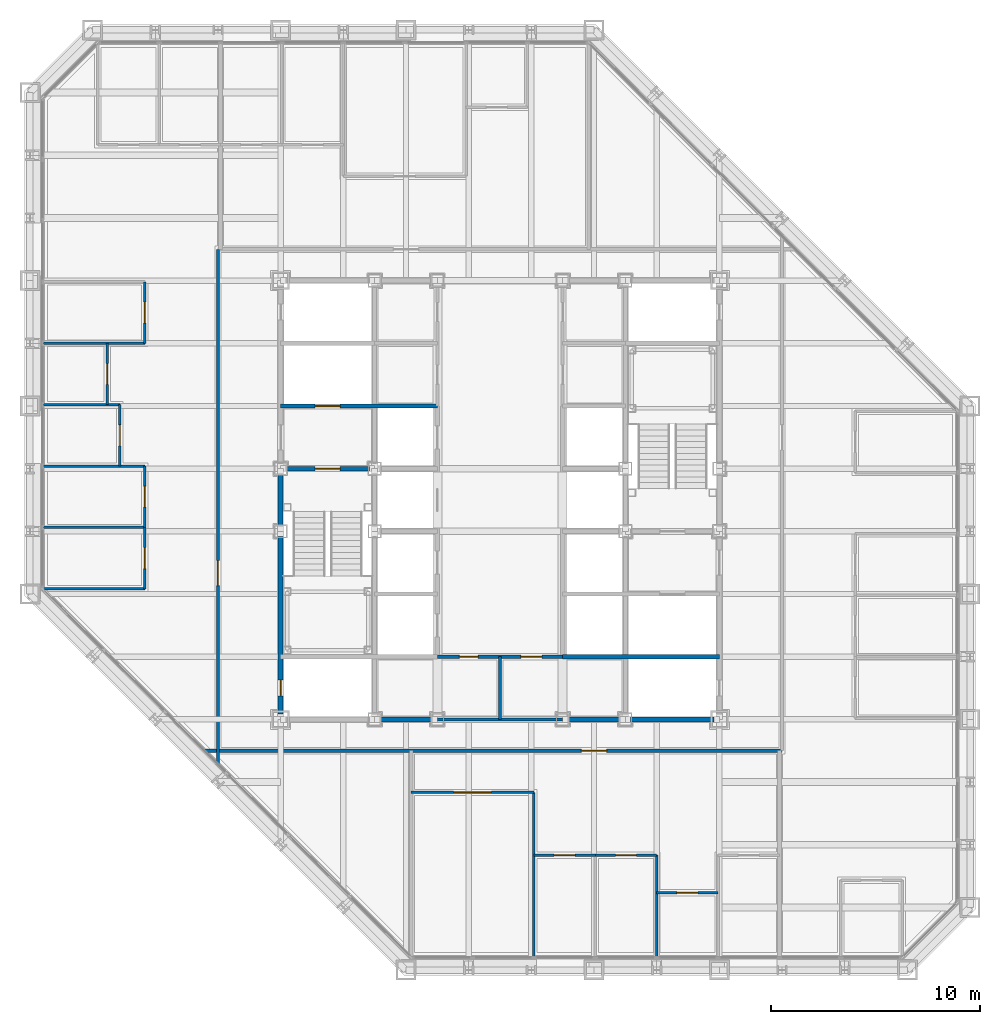
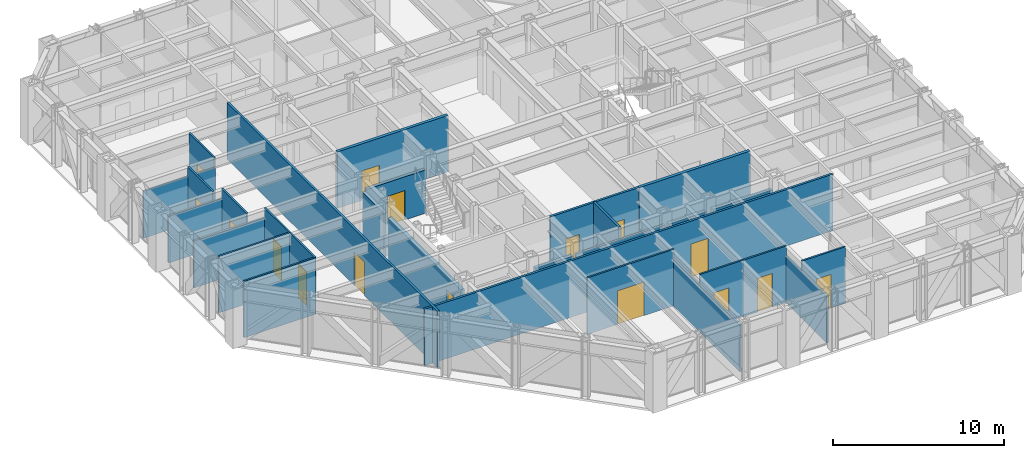
# One storey, part 10 of 16: 29 walls, 16 doors, 16 openings.
"""IFC4 building model written with IfcOpenShell, lengths in metres."""

from ifc_helpers import new_model, si_unit, direction, frame, frame_2d, origin, place, context, subcontext, project, spatial, rectangle, extrude, material, layer, layer_set, type_object, element, fill, save


model = new_model("IFC4")

# Units and contexts
model_context = context("Model", 3, precision=1e-05, world=origin(), true_north=direction((0.0, 1.0)))
body_context = subcontext(model_context, "Body", "Model", "MODEL_VIEW")
ifc_project = project(units=[si_unit("LENGTHUNIT", "METRE"), si_unit("AREAUNIT", "SQUARE_METRE"), si_unit("VOLUMEUNIT", "CUBIC_METRE"), si_unit("PLANEANGLEUNIT", "RADIAN"), si_unit("MASSUNIT", "GRAM", prefix="KILO")], contexts=[model_context])

# Site, building, storey
site_placement = place(None, origin())
site = spatial("IfcSite", under=ifc_project, at=site_placement, CompositionType="ELEMENT")
building_placement = place(site_placement, origin())
building = spatial("IfcBuilding", under=site, at=building_placement, Name="Chuquiago Exchange Tower", CompositionType="ELEMENT")
storey_placement = place(building_placement, frame((0.0, 0.0, 148.800048828125)))
storey = spatial("IfcBuildingStorey", under=building, at=storey_placement, Name="L32", CompositionType="ELEMENT", Elevation=148.800048828125)

# Wall, opening, door
ifc_material_1 = material(Name="Concrete masonry, fully grouted", Category="masonry")
ifc_layer_1 = layer(ifc_material_1, 0.25)
ifc_layer_set_1 = layer_set([ifc_layer_1], Name="W1 core wall 250")
wall_type_1 = type_object("IfcWallType", Name="W1 core wall 250", PredefinedType="SOLIDWALL", material=ifc_layer_set_1)
wall_1_placement = place(storey_placement, frame((12.0, 12.25, 0.0), z_axis=(0.0, 0.0, 1.0), x_axis=(0.0, 1.0, 0.0)))
wall_1 = element("IfcWall", 1, at=wall_1_placement, inside=storey, type_object=wall_type_1, Name="CW-L32-00-0", PredefinedType="SOLIDWALL", context=body_context, shape_type="SweptSolid", body=[
    extrude(rectangle(XDim=8.5, YDim=0.25, at=frame_2d((4.25, 0.0))), origin(), (0.0, 0.0, 1.0), 3.11279296875),
])
opening_1_placement = place(wall_1_placement, frame((0.875, 0.0, 0.0)))
opening_1 = element("IfcOpeningElement", 2, at=opening_1_placement, cuts=wall_1, Name="Opening L32-007", PredefinedType="OPENING", context=body_context, shape_type="SweptSolid", body=[
    extrude(rectangle(XDim=0.75, YDim=2.10009765625, at=frame_2d((0.375, 1.050048828125))), frame((0.0, 0.135009765625, 0.0), z_axis=(0.0, -1.0, 0.0), x_axis=(1.0, 0.0, 0.0)), (0.0, 0.0, 1.0), 0.27001953125),
])
ifc_material_2 = material(Name="Steel door, painted", Category="steel")
door_type_1 = type_object("IfcDoorType", Name="D6 riser access door 750x2100", OperationType="SINGLE_SWING_LEFT", PredefinedType="DOOR", material=ifc_material_2)
door_1_placement = place(opening_1_placement, origin())
door_1 = element("IfcDoor", 3, at=door_1_placement, inside=storey, type_object=door_type_1, Name="Riser RW1 door", OperationType="SINGLE_SWING_LEFT", OverallHeight=2.10009765625, OverallWidth=0.75, PredefinedType="DOOR", context=body_context, shape_type="SweptSolid", body=[
    extrude(rectangle(XDim=0.75, YDim=2.10009765625, at=frame_2d((0.375, 1.050048828125))), frame((0.0, 0.02490234375, 0.0), z_axis=(0.0, -1.0, 0.0), x_axis=(1.0, 0.0, 0.0)), (0.0, 0.0, 1.0), 0.050048828125),
])
fill(opening_1, door_1)

# Walls
wall_2_placement = place(storey_placement, frame((12.0, 21.25, 0.0), z_axis=(0.0, 0.0, 1.0), x_axis=(0.0, 1.0, 0.0)))
element("IfcWall", 4, at=wall_2_placement, inside=storey, type_object=wall_type_1, Name="CW-L32-00-1", PredefinedType="SOLIDWALL", context=body_context, shape_type="SweptSolid", body=[
    extrude(rectangle(XDim=2.5, YDim=0.25, at=frame_2d((1.25, 0.0))), origin(), (0.0, 0.0, 1.0), 3.11279296875),
])
for number, where, z_axis, x_axis, name in (
    (5, (16.75, 12.0, 0.0), (0.0, 0.0, 1.0), (1.0, 0.0, 0.0), "CW-L32-01-1"),
    (6, (25.75, 12.0, 0.0), (0.0, 0.0, 1.0), (1.0, 0.0, 0.0), "CW-L32-02-0"),
):
    element("IfcWall", number, at=place(storey_placement, frame(where, z_axis=z_axis, x_axis=x_axis)), inside=storey, type_object=wall_type_1, Name=name, PredefinedType="SOLIDWALL", context=body_context, shape_type="SweptSolid", body=[
        extrude(rectangle(XDim=2.5, YDim=0.25, at=frame_2d((1.25, 0.0))), origin(), (0.0, 0.0, 1.0), 3.181396484375),
    ])
wall_3_placement = place(storey_placement, frame((28.75, 12.0, 0.0), z_axis=(0.0, 0.0, 1.0), x_axis=(1.0, 0.0, 0.0)))
element("IfcWall", 7, at=wall_3_placement, inside=storey, type_object=wall_type_1, Name="CW-L32-02-1", PredefinedType="SOLIDWALL", context=body_context, shape_type="SweptSolid", body=[
    extrude(rectangle(XDim=4.0, YDim=0.25, at=frame_2d((2.0, 0.0))), origin(), (0.0, 0.0, 1.0), 3.181396484375),
])

# Wall, opening, door
ifc_material_3 = material(Name="Gypsum board on steel studs, acoustic insulation", Category="steel")
ifc_layer_2 = layer(ifc_material_3, 0.14990234375)
ifc_layer_set_2 = layer_set([ifc_layer_2], Name="W11 corridor wall 150")
wall_type_2 = type_object("IfcWallType", Name="W11 corridor wall 150", PredefinedType="PARTITIONING", material=ifc_layer_set_2)
wall_4_placement = place(storey_placement, frame((8.385498046875, 10.5, 0.0), z_axis=(0.0, 0.0, 1.0), x_axis=(1.0, 0.0, 0.0)))
wall_4 = element("IfcWall", 8, at=wall_4_placement, inside=storey, type_object=wall_type_2, Name="PW-L32-CS", PredefinedType="PARTITIONING", context=body_context, shape_type="SweptSolid", body=[
    extrude(rectangle(XDim=27.614501953125, YDim=0.14990234375, at=frame_2d((13.80712890625, 0.0))), origin(), (0.0, 0.0, 1.0), 4.0400390625),
])
opening_2_placement = place(wall_4_placement, frame((18.014404296875, 0.0, 0.0)))
opening_2 = element("IfcOpeningElement", 9, at=opening_2_placement, cuts=wall_4, Name="Opening L32-042", PredefinedType="OPENING", context=body_context, shape_type="SweptSolid", body=[
    extrude(rectangle(XDim=1.199951171875, YDim=2.39990234375, at=frame_2d((0.60009765625, 1.199951171875))), frame((0.0, 0.0849609375, 0.0), z_axis=(0.0, -1.0, 0.0), x_axis=(1.0, 0.0, 0.0)), (0.0, 0.0, 1.0), 0.169921875),
])
ifc_material_4 = material(Name="Timber door, laminate faced", Category="wood")
door_type_2 = type_object("IfcDoorType", Name="D13 suite entrance door 1200x2400", OperationType="SINGLE_SWING_LEFT", PredefinedType="DOOR", material=ifc_material_4)
door_2_placement = place(opening_2_placement, frame((1.199951171875, 0.0, 0.0), z_axis=(0.0, 0.0, 1.0), x_axis=(-1.0, 0.0, 0.0)))
door_2 = element("IfcDoor", 10, at=door_2_placement, inside=storey, type_object=door_type_2, Name="South suite entrance door", OperationType="SINGLE_SWING_LEFT", OverallHeight=2.39990234375, OverallWidth=1.199951171875, PredefinedType="DOOR", context=body_context, shape_type="SweptSolid", body=[
    extrude(rectangle(XDim=1.199951171875, YDim=2.39990234375, at=frame_2d((0.60009765625, 1.199951171875))), frame((0.0, 0.02490234375, 0.0), z_axis=(0.0, -1.0, 0.0), x_axis=(1.0, 0.0, 0.0)), (0.0, 0.0, 1.0), 0.050048828125),
])
fill(opening_2, door_2)

wall_5_placement = place(storey_placement, frame((9.0, 9.885498046875, 0.0), z_axis=(0.0, 0.0, 1.0), x_axis=(0.0, 1.0, 0.0)))
wall_5 = element("IfcWall", 11, at=wall_5_placement, inside=storey, type_object=wall_type_2, Name="PW-L32-CW", PredefinedType="PARTITIONING", context=body_context, shape_type="SweptSolid", body=[
    extrude(rectangle(XDim=24.614501953125, YDim=0.14990234375, at=frame_2d((12.30712890625, 0.0))), origin(), (0.0, 0.0, 1.0), 4.0400390625),
])
opening_3_placement = place(wall_5_placement, frame((8.514404296875, 0.0, 0.0)))
opening_3 = element("IfcOpeningElement", 12, at=opening_3_placement, cuts=wall_5, Name="Opening L32-044", PredefinedType="OPENING", context=body_context, shape_type="SweptSolid", body=[
    extrude(rectangle(XDim=1.199951171875, YDim=2.39990234375, at=frame_2d((0.60009765625, 1.199951171875))), frame((0.0, 0.0849609375, 0.0), z_axis=(0.0, -1.0, 0.0), x_axis=(1.0, 0.0, 0.0)), (0.0, 0.0, 1.0), 0.169921875),
])
door_3_placement = place(opening_3_placement, origin())
door_3 = element("IfcDoor", 13, at=door_3_placement, inside=storey, type_object=door_type_2, Name="West suite entrance door", OperationType="SINGLE_SWING_LEFT", OverallHeight=2.39990234375, OverallWidth=1.199951171875, PredefinedType="DOOR", context=body_context, shape_type="SweptSolid", body=[
    extrude(rectangle(XDim=1.199951171875, YDim=2.39990234375, at=frame_2d((0.60009765625, 1.199951171875))), frame((0.0, 0.02490234375, 0.0), z_axis=(0.0, -1.0, 0.0), x_axis=(1.0, 0.0, 0.0)), (0.0, 0.0, 1.0), 0.050048828125),
])
fill(opening_3, door_3)

# Wall
ifc_material_5 = material(Name="Concrete masonry, fully grouted", Category="masonry")
ifc_layer_3 = layer(ifc_material_5, 0.199951171875)
ifc_layer_set_3 = layer_set([ifc_layer_3], Name="W2 shaft wall 200")
wall_type_3 = type_object("IfcWallType", Name="W2 shaft wall 200", PredefinedType="SOLIDWALL", material=ifc_layer_set_3)
wall_6_placement = place(storey_placement, frame((25.5, 15.0, 0.0), z_axis=(0.0, 0.0, 1.0), x_axis=(1.0, 0.0, 0.0)))
element("IfcWall", 14, at=wall_6_placement, inside=storey, type_object=wall_type_3, Name="CW-L32-04-0", PredefinedType="SOLIDWALL", context=body_context, shape_type="SweptSolid", body=[
    extrude(rectangle(XDim=7.5, YDim=0.199951171875, at=frame_2d((3.75, 0.0))), origin(), (0.0, 0.0, 1.0), 4.0400390625),
])

# Wall, opening, door
wall_7_placement = place(storey_placement, frame((12.25, 24.0, 0.0), z_axis=(0.0, 0.0, 1.0), x_axis=(1.0, 0.0, 0.0)))
wall_7 = element("IfcWall", 15, at=wall_7_placement, inside=storey, type_object=wall_type_3, Name="CW-L32-05-0", PredefinedType="SOLIDWALL", context=body_context, shape_type="SweptSolid", body=[
    extrude(rectangle(XDim=4.0, YDim=0.199951171875, at=frame_2d((2.0, 0.0))), origin(), (0.0, 0.0, 1.0), 3.08984375),
])
opening_4_placement = place(wall_7_placement, frame((1.39990234375, 0.0, 0.0)))
opening_4 = element("IfcOpeningElement", 16, at=opening_4_placement, cuts=wall_7, Name="Opening L32-001", PredefinedType="OPENING", context=body_context, shape_type="SweptSolid", body=[
    extrude(rectangle(XDim=1.199951171875, YDim=2.10009765625, at=frame_2d((0.60009765625, 1.050048828125))), frame((0.0, 0.10986328125, 0.0), z_axis=(0.0, -1.0, 0.0), x_axis=(1.0, 0.0, 0.0)), (0.0, 0.0, 1.0), 0.219970703125),
])
ifc_material_6 = material(Name="Steel door, painted", Category="steel")
door_type_3 = type_object("IfcDoorType", Name="D4 stair door 1200x2100", OperationType="SINGLE_SWING_LEFT", PredefinedType="DOOR", material=ifc_material_6)
door_4_placement = place(opening_4_placement, frame((1.199951171875, 0.0, 0.0), z_axis=(0.0, 0.0, 1.0), x_axis=(-1.0, 0.0, 0.0)))
door_4 = element("IfcDoor", 17, at=door_4_placement, inside=storey, type_object=door_type_3, Name="Stair ST1 door", OperationType="SINGLE_SWING_RIGHT", OverallHeight=2.10009765625, OverallWidth=1.199951171875, PredefinedType="DOOR", context=body_context, shape_type="SweptSolid", body=[
    extrude(rectangle(XDim=1.199951171875, YDim=2.10009765625, at=frame_2d((0.60009765625, 1.050048828125))), frame((0.0, 0.02490234375, 0.0), z_axis=(0.0, -1.0, 0.0), x_axis=(1.0, 0.0, 0.0)), (0.0, 0.0, 1.0), 0.050048828125),
])
fill(opening_4, door_4)

wall_8_placement = place(storey_placement, frame((12.0, 27.0, 0.0), z_axis=(0.0, 0.0, 1.0), x_axis=(1.0, 0.0, 0.0)))
wall_8 = element("IfcWall", 18, at=wall_8_placement, inside=storey, type_object=wall_type_3, Name="CW-L32-07-0", PredefinedType="SOLIDWALL", context=body_context, shape_type="SweptSolid", body=[
    extrude(rectangle(XDim=7.5, YDim=0.199951171875, at=frame_2d((3.75, 0.0))), origin(), (0.0, 0.0, 1.0), 4.0400390625),
])
opening_5_placement = place(wall_8_placement, frame((1.64990234375, 0.0, 0.0)))
opening_5 = element("IfcOpeningElement", 19, at=opening_5_placement, cuts=wall_8, Name="Opening L32-005", PredefinedType="OPENING", context=body_context, shape_type="SweptSolid", body=[
    extrude(rectangle(XDim=1.199951171875, YDim=2.10009765625, at=frame_2d((0.60009765625, 1.050048828125))), frame((0.0, 0.10986328125, 0.0), z_axis=(0.0, -1.0, 0.0), x_axis=(1.0, 0.0, 0.0)), (0.0, 0.0, 1.0), 0.219970703125),
])
ifc_material_7 = material(Name="Stainless steel lift landing door", Category="steel")
door_type_4 = type_object("IfcDoorType", Name="LD2 firefighting lift landing door 1200x2100", OperationType="DOUBLE_DOOR_SLIDING", PredefinedType="DOOR", material=ifc_material_7)
door_5_placement = place(opening_5_placement, origin())
door_5 = element("IfcDoor", 20, at=door_5_placement, inside=storey, type_object=door_type_4, Name="Firefighting lift FL1 landing door", OperationType="DOUBLE_DOOR_SLIDING", OverallHeight=2.10009765625, OverallWidth=1.199951171875, PredefinedType="DOOR", context=body_context, shape_type="SweptSolid", body=[
    extrude(rectangle(XDim=1.199951171875, YDim=2.10009765625, at=frame_2d((0.60009765625, 1.050048828125))), frame((0.0, 0.02490234375, 0.0), z_axis=(0.0, -1.0, 0.0), x_axis=(1.0, 0.0, 0.0)), (0.0, 0.0, 1.0), 0.050048828125),
])
fill(opening_5, door_5)

# Wall, openings, doors
ifc_material_8 = material(Name="Gypsum board on steel studs", Category="steel")
ifc_layer_4 = layer(ifc_material_8, 0.14990234375)
ifc_layer_set_4 = layer_set([ifc_layer_4], Name="W3 core partition 150")
wall_type_4 = type_object("IfcWallType", Name="W3 core partition 150", PredefinedType="PARTITIONING", material=ifc_layer_set_4)
wall_9_placement = place(storey_placement, frame((19.5, 15.0, 0.0), z_axis=(0.0, 0.0, 1.0), x_axis=(1.0, 0.0, 0.0)))
wall_9 = element("IfcWall", 21, at=wall_9_placement, inside=storey, type_object=wall_type_4, Name="CW-L32-TF", PredefinedType="PARTITIONING", context=body_context, shape_type="SweptSolid", body=[
    extrude(rectangle(XDim=6.0, YDim=0.14990234375, at=frame_2d((3.0, 0.0))), origin(), (0.0, 0.0, 1.0), 4.0400390625),
])
opening_6_placement = place(wall_9_placement, frame((4.0, 0.0, 0.0)))
opening_6 = element("IfcOpeningElement", 22, at=opening_6_placement, cuts=wall_9, Name="Opening L32-015", PredefinedType="OPENING", context=body_context, shape_type="SweptSolid", body=[
    extrude(rectangle(XDim=1.0, YDim=2.10009765625, at=frame_2d((0.5, 1.050048828125))), frame((0.0, 0.0849609375, 0.0), z_axis=(0.0, -1.0, 0.0), x_axis=(1.0, 0.0, 0.0)), (0.0, 0.0, 1.0), 0.169921875),
])
opening_7_placement = place(wall_9_placement, frame((1.050048828125, 0.0, 0.0)))
opening_7 = element("IfcOpeningElement", 23, at=opening_7_placement, cuts=wall_9, Name="Opening L32-016", PredefinedType="OPENING", context=body_context, shape_type="SweptSolid", body=[
    extrude(rectangle(XDim=0.89990234375, YDim=2.10009765625, at=frame_2d((0.449951171875, 1.050048828125))), frame((0.0, 0.0849609375, 0.0), z_axis=(0.0, -1.0, 0.0), x_axis=(1.0, 0.0, 0.0)), (0.0, 0.0, 1.0), 0.169921875),
])
ifc_material_9 = material(Name="Timber door, laminate faced", Category="wood")
door_type_5 = type_object("IfcDoorType", Name="D7 toilet door 900x2100", OperationType="SINGLE_SWING_LEFT", PredefinedType="DOOR", material=ifc_material_9)
door_6_placement = place(opening_7_placement, origin())
door_6 = element("IfcDoor", 24, at=door_6_placement, inside=storey, type_object=door_type_5, Name="Cleaner door", OperationType="SINGLE_SWING_LEFT", OverallHeight=2.10009765625, OverallWidth=0.89990234375, PredefinedType="DOOR", context=body_context, shape_type="SweptSolid", body=[
    extrude(rectangle(XDim=0.89990234375, YDim=2.10009765625, at=frame_2d((0.449951171875, 1.050048828125))), frame((0.0, 0.02490234375, 0.0), z_axis=(0.0, -1.0, 0.0), x_axis=(1.0, 0.0, 0.0)), (0.0, 0.0, 1.0), 0.050048828125),
])
fill(opening_7, door_6)
ifc_material_10 = material(Name="Timber door, laminate faced", Category="wood")
door_type_6 = type_object("IfcDoorType", Name="D8 accessible toilet door 1000x2100", OperationType="SLIDING_TO_LEFT", PredefinedType="DOOR", material=ifc_material_10)
door_7_placement = place(opening_6_placement, origin())
door_7 = element("IfcDoor", 25, at=door_7_placement, inside=storey, type_object=door_type_6, Name="Accessible WC door", OperationType="SLIDING_TO_LEFT", OverallHeight=2.10009765625, OverallWidth=1.0, PredefinedType="DOOR", context=body_context, shape_type="SweptSolid", body=[
    extrude(rectangle(XDim=1.0, YDim=2.10009765625, at=frame_2d((0.5, 1.050048828125))), frame((0.0, 0.02490234375, 0.0), z_axis=(0.0, -1.0, 0.0), x_axis=(1.0, 0.0, 0.0)), (0.0, 0.0, 1.0), 0.050048828125),
])
fill(opening_6, door_7)

# Walls
wall_10_placement = place(storey_placement, frame((22.5, 15.0, 0.0), z_axis=(0.0, 0.0, 1.0), x_axis=(0.0, -1.0, 0.0)))
element("IfcWall", 26, at=wall_10_placement, inside=storey, type_object=wall_type_4, Name="CW-L32-TM", PredefinedType="PARTITIONING", context=body_context, shape_type="SweptSolid", body=[
    extrude(rectangle(XDim=3.0, YDim=0.14990234375, at=frame_2d((1.5, 0.0))), origin(), (0.0, 0.0, 1.0), 4.0400390625),
])
wall_11_placement = place(storey_placement, frame((19.5, 12.0, 0.0), z_axis=(0.0, 0.0, 1.0), x_axis=(1.0, 0.0, 0.0)))
element("IfcWall", 27, at=wall_11_placement, inside=storey, type_object=wall_type_4, Name="CW-L32-TB", PredefinedType="PARTITIONING", context=body_context, shape_type="SweptSolid", body=[
    extrude(rectangle(XDim=6.0, YDim=0.14990234375, at=frame_2d((3.0, 0.0))), origin(), (0.0, 0.0, 1.0), 3.181396484375),
])
ifc_material_11 = material(Name="Gypsum board on steel studs", Category="steel")
ifc_layer_5 = layer(ifc_material_11, 0.1201171875)
ifc_layer_set_5 = layer_set([ifc_layer_5], Name="W4 partition 120")
wall_type_5 = type_object("IfcWallType", Name="W4 partition 120", PredefinedType="PARTITIONING", material=ifc_layer_set_5)
wall_12_placement = place(storey_placement, frame((24.124267578125, 0.652587890625, 0.0), z_axis=(0.0, 0.0, 1.0), x_axis=(0.0, 1.0, 0.0)))
element("IfcWall", 28, at=wall_12_placement, inside=storey, type_object=wall_type_5, Name="PW-L32-S02412", PredefinedType="PARTITIONING", context=body_context, shape_type="SweptSolid", body=[
    extrude(rectangle(XDim=7.847412109375, YDim=0.1201171875, at=frame_2d((3.923828125, 0.0))), origin(), (0.0, 0.0, 1.0), 3.356689453125),
])
wall_13_placement = place(storey_placement, frame((30.0, 0.652587890625, 0.0), z_axis=(0.0, 0.0, 1.0), x_axis=(0.0, 1.0, 0.0)))
element("IfcWall", 29, at=wall_13_placement, inside=storey, type_object=wall_type_5, Name="PW-L32-S03000", PredefinedType="PARTITIONING", context=body_context, shape_type="SweptSolid", body=[
    extrude(rectangle(XDim=4.847412109375, YDim=0.1201171875, at=frame_2d((2.423828125, 0.0))), origin(), (0.0, 0.0, 1.0), 3.356689453125),
])

# Wall, opening, door
wall_14_placement = place(storey_placement, frame((18.24853515625, 8.5, 0.0), z_axis=(0.0, 0.0, 1.0), x_axis=(1.0, 0.0, 0.0)))
wall_14 = element("IfcWall", 30, at=wall_14_placement, inside=storey, type_object=wall_type_5, Name="PW-L32-SF01825", PredefinedType="PARTITIONING", context=body_context, shape_type="SweptSolid", body=[
    extrude(rectangle(XDim=5.875732421875, YDim=0.1201171875, at=frame_2d((2.93798828125, 0.0))), origin(), (0.0, 0.0, 1.0), 4.0400390625),
])
opening_8_placement = place(wall_14_placement, frame((2.037841796875, 0.0, 0.0)))
opening_8 = element("IfcOpeningElement", 31, at=opening_8_placement, cuts=wall_14, Name="Opening L32-021", PredefinedType="OPENING", context=body_context, shape_type="SweptSolid", body=[
    extrude(rectangle(XDim=1.800048828125, YDim=2.39990234375, at=frame_2d((0.89990234375, 1.199951171875))), frame((0.0, 0.070068359375, 0.0), z_axis=(0.0, -1.0, 0.0), x_axis=(1.0, 0.0, 0.0)), (0.0, 0.0, 1.0), 0.14013671875),
])
ifc_material_12 = material(Name="Timber door pair, laminate faced", Category="wood")
door_type_7 = type_object("IfcDoorType", Name="D15 double room door 1800x2400", OperationType="DOUBLE_DOOR_DOUBLE_SWING", PredefinedType="DOOR", material=ifc_material_12)
door_8_placement = place(opening_8_placement, origin())
door_8 = element("IfcDoor", 32, at=door_8_placement, inside=storey, type_object=door_type_7, Name="Training room door", OperationType="DOUBLE_DOOR_DOUBLE_SWING", OverallHeight=2.39990234375, OverallWidth=1.800048828125, PredefinedType="DOOR", context=body_context, shape_type="SweptSolid", body=[
    extrude(rectangle(XDim=1.800048828125, YDim=2.39990234375, at=frame_2d((0.89990234375, 1.199951171875))), frame((0.0, 0.02490234375, 0.0), z_axis=(0.0, -1.0, 0.0), x_axis=(1.0, 0.0, 0.0)), (0.0, 0.0, 1.0), 0.050048828125),
])
fill(opening_8, door_8)

wall_15_placement = place(storey_placement, frame((24.124267578125, 5.5, 0.0), z_axis=(0.0, 0.0, 1.0), x_axis=(1.0, 0.0, 0.0)))
wall_15 = element("IfcWall", 33, at=wall_15_placement, inside=storey, type_object=wall_type_5, Name="PW-L32-SF02412", PredefinedType="PARTITIONING", context=body_context, shape_type="SweptSolid", body=[
    extrude(rectangle(XDim=2.937744140625, YDim=0.1201171875, at=frame_2d((1.46875, 0.0))), origin(), (0.0, 0.0, 1.0), 4.0400390625),
])
opening_9_placement = place(wall_15_placement, frame((0.968994140625, 0.0, 0.0)))
opening_9 = element("IfcOpeningElement", 34, at=opening_9_placement, cuts=wall_15, Name="Opening L32-022", PredefinedType="OPENING", context=body_context, shape_type="SweptSolid", body=[
    extrude(rectangle(XDim=1.0, YDim=2.39990234375, at=frame_2d((0.5, 1.199951171875))), frame((0.0, 0.070068359375, 0.0), z_axis=(0.0, -1.0, 0.0), x_axis=(1.0, 0.0, 0.0)), (0.0, 0.0, 1.0), 0.14013671875),
])
ifc_material_13 = material(Name="Timber door, laminate faced", Category="wood")
door_type_8 = type_object("IfcDoorType", Name="D9 room door 1000x2400", OperationType="SINGLE_SWING_LEFT", PredefinedType="DOOR", material=ifc_material_13)
door_9_placement = place(opening_9_placement, frame((1.0, 0.0, 0.0), z_axis=(0.0, 0.0, 1.0), x_axis=(-1.0, 0.0, 0.0)))
door_9 = element("IfcDoor", 35, at=door_9_placement, inside=storey, type_object=door_type_8, Name="Office door", OperationType="SINGLE_SWING_LEFT", OverallHeight=2.39990234375, OverallWidth=1.0, PredefinedType="DOOR", context=body_context, shape_type="SweptSolid", body=[
    extrude(rectangle(XDim=1.0, YDim=2.39990234375, at=frame_2d((0.5, 1.199951171875))), frame((0.0, 0.02490234375, 0.0), z_axis=(0.0, -1.0, 0.0), x_axis=(1.0, 0.0, 0.0)), (0.0, 0.0, 1.0), 0.050048828125),
])
fill(opening_9, door_9)

wall_16_placement = place(storey_placement, frame((27.06201171875, 5.5, 0.0), z_axis=(0.0, 0.0, 1.0), x_axis=(1.0, 0.0, 0.0)))
wall_16 = element("IfcWall", 36, at=wall_16_placement, inside=storey, type_object=wall_type_5, Name="PW-L32-SF02706", PredefinedType="PARTITIONING", context=body_context, shape_type="SweptSolid", body=[
    extrude(rectangle(XDim=2.93798828125, YDim=0.1201171875, at=frame_2d((1.468994140625, 0.0))), origin(), (0.0, 0.0, 1.0), 4.0400390625),
])
opening_10_placement = place(wall_16_placement, frame((0.968994140625, 0.0, 0.0)))
opening_10 = element("IfcOpeningElement", 37, at=opening_10_placement, cuts=wall_16, Name="Opening L32-023", PredefinedType="OPENING", context=body_context, shape_type="SweptSolid", body=[
    extrude(rectangle(XDim=1.0, YDim=2.39990234375, at=frame_2d((0.5, 1.199951171875))), frame((0.0, 0.070068359375, 0.0), z_axis=(0.0, -1.0, 0.0), x_axis=(1.0, 0.0, 0.0)), (0.0, 0.0, 1.0), 0.14013671875),
])
door_10_placement = place(opening_10_placement, frame((1.0, 0.0, 0.0), z_axis=(0.0, 0.0, 1.0), x_axis=(-1.0, 0.0, 0.0)))
door_10 = element("IfcDoor", 38, at=door_10_placement, inside=storey, type_object=door_type_8, Name="Office door", OperationType="SINGLE_SWING_RIGHT", OverallHeight=2.39990234375, OverallWidth=1.0, PredefinedType="DOOR", context=body_context, shape_type="SweptSolid", body=[
    extrude(rectangle(XDim=1.0, YDim=2.39990234375, at=frame_2d((0.5, 1.199951171875))), frame((0.0, 0.02490234375, 0.0), z_axis=(0.0, -1.0, 0.0), x_axis=(1.0, 0.0, 0.0)), (0.0, 0.0, 1.0), 0.050048828125),
])
fill(opening_10, door_10)

wall_17_placement = place(storey_placement, frame((30.0, 3.699951171875, 0.0), z_axis=(0.0, 0.0, 1.0), x_axis=(1.0, 0.0, 0.0)))
wall_17 = element("IfcWall", 39, at=wall_17_placement, inside=storey, type_object=wall_type_5, Name="PW-L32-SF03000", PredefinedType="PARTITIONING", context=body_context, shape_type="SweptSolid", body=[
    extrude(rectangle(XDim=2.93798828125, YDim=0.1201171875, at=frame_2d((1.468994140625, 0.0))), origin(), (0.0, 0.0, 1.0), 4.0400390625),
])
opening_11_placement = place(wall_17_placement, frame((0.968994140625, 0.0, 0.0)))
opening_11 = element("IfcOpeningElement", 40, at=opening_11_placement, cuts=wall_17, Name="Opening L32-024", PredefinedType="OPENING", context=body_context, shape_type="SweptSolid", body=[
    extrude(rectangle(XDim=1.0, YDim=2.39990234375, at=frame_2d((0.5, 1.199951171875))), frame((0.0, 0.070068359375, 0.0), z_axis=(0.0, -1.0, 0.0), x_axis=(1.0, 0.0, 0.0)), (0.0, 0.0, 1.0), 0.14013671875),
])
ifc_material_14 = material(Name="Timber frame door, full height glazed panel", Category="wood")
door_type_9 = type_object("IfcDoorType", Name="D14 glazed meeting room door 1000x2400", OperationType="SINGLE_SWING_LEFT", PredefinedType="DOOR", material=ifc_material_14)
door_11_placement = place(opening_11_placement, frame((1.0, 0.0, 0.0), z_axis=(0.0, 0.0, 1.0), x_axis=(-1.0, 0.0, 0.0)))
door_11 = element("IfcDoor", 41, at=door_11_placement, inside=storey, type_object=door_type_9, Name="Focus room door", OperationType="SINGLE_SWING_RIGHT", OverallHeight=2.39990234375, OverallWidth=1.0, PredefinedType="DOOR", context=body_context, shape_type="SweptSolid", body=[
    extrude(rectangle(XDim=1.0, YDim=2.39990234375, at=frame_2d((0.5, 1.199951171875))), frame((0.0, 0.02490234375, 0.0), z_axis=(0.0, -1.0, 0.0), x_axis=(1.0, 0.0, 0.0)), (0.0, 0.0, 1.0), 0.050048828125),
])
fill(opening_11, door_11)

# Walls
wall_18_placement = place(storey_placement, frame((0.666015625, 18.24853515625, 0.0), z_axis=(0.0, 0.0, 1.0), x_axis=(1.0, 0.0, 0.0)))
element("IfcWall", 42, at=wall_18_placement, inside=storey, type_object=wall_type_5, Name="PW-L32-W01825", PredefinedType="PARTITIONING", context=body_context, shape_type="SweptSolid", body=[
    extrude(rectangle(XDim=4.833984375, YDim=0.1201171875, at=frame_2d((2.4169921875, 0.0))), origin(), (0.0, 0.0, 1.0), 4.0400390625),
])
wall_19_placement = place(storey_placement, frame((0.652587890625, 21.186279296875, 0.0), z_axis=(0.0, 0.0, 1.0), x_axis=(1.0, 0.0, 0.0)))
element("IfcWall", 43, at=wall_19_placement, inside=storey, type_object=wall_type_5, Name="PW-L32-W02119", PredefinedType="PARTITIONING", context=body_context, shape_type="SweptSolid", body=[
    extrude(rectangle(XDim=4.847412109375, YDim=0.1201171875, at=frame_2d((2.423828125, 0.0))), origin(), (0.0, 0.0, 1.0), 4.0400390625),
])
wall_20_placement = place(storey_placement, frame((0.652587890625, 24.124267578125, 0.0), z_axis=(0.0, 0.0, 1.0), x_axis=(1.0, 0.0, 0.0)))
element("IfcWall", 44, at=wall_20_placement, inside=storey, type_object=wall_type_5, Name="PW-L32-W02412", PredefinedType="PARTITIONING", context=body_context, shape_type="SweptSolid", body=[
    extrude(rectangle(XDim=4.847412109375, YDim=0.1201171875, at=frame_2d((2.423828125, 0.0))), origin(), (0.0, 0.0, 1.0), 3.356689453125),
])
wall_21_placement = place(storey_placement, frame((0.652587890625, 27.06201171875, 0.0), z_axis=(0.0, 0.0, 1.0), x_axis=(1.0, 0.0, 0.0)))
element("IfcWall", 45, at=wall_21_placement, inside=storey, type_object=wall_type_5, Name="PW-L32-W02706", PredefinedType="PARTITIONING", context=body_context, shape_type="SweptSolid", body=[
    extrude(rectangle(XDim=3.6474609375, YDim=0.1201171875, at=frame_2d((1.82373046875, 0.0))), origin(), (0.0, 0.0, 1.0), 3.356689453125),
])
wall_22_placement = place(storey_placement, frame((0.652587890625, 30.0, 0.0), z_axis=(0.0, 0.0, 1.0), x_axis=(1.0, 0.0, 0.0)))
element("IfcWall", 46, at=wall_22_placement, inside=storey, type_object=wall_type_5, Name="PW-L32-W03000", PredefinedType="PARTITIONING", context=body_context, shape_type="SweptSolid", body=[
    extrude(rectangle(XDim=4.847412109375, YDim=0.1201171875, at=frame_2d((2.423828125, 0.0))), origin(), (0.0, 0.0, 1.0), 3.356689453125),
])

# Wall, opening, door
wall_23_placement = place(storey_placement, frame((5.5, 18.24853515625, 0.0), z_axis=(0.0, 0.0, 1.0), x_axis=(0.0, 1.0, 0.0)))
wall_23 = element("IfcWall", 47, at=wall_23_placement, inside=storey, type_object=wall_type_5, Name="PW-L32-WF01825", PredefinedType="PARTITIONING", context=body_context, shape_type="SweptSolid", body=[
    extrude(rectangle(XDim=2.937744140625, YDim=0.1201171875, at=frame_2d((1.46875, 0.0))), origin(), (0.0, 0.0, 1.0), 4.0400390625),
])
opening_12_placement = place(wall_23_placement, frame((0.968994140625, 0.0, 0.0)))
opening_12 = element("IfcOpeningElement", 48, at=opening_12_placement, cuts=wall_23, Name="Opening L32-037", PredefinedType="OPENING", context=body_context, shape_type="SweptSolid", body=[
    extrude(rectangle(XDim=1.0, YDim=2.39990234375, at=frame_2d((0.5, 1.199951171875))), frame((0.0, 0.070068359375, 0.0), z_axis=(0.0, -1.0, 0.0), x_axis=(1.0, 0.0, 0.0)), (0.0, 0.0, 1.0), 0.14013671875),
])
door_12_placement = place(opening_12_placement, origin())
door_12 = element("IfcDoor", 49, at=door_12_placement, inside=storey, type_object=door_type_8, Name="Office door", OperationType="SINGLE_SWING_LEFT", OverallHeight=2.39990234375, OverallWidth=1.0, PredefinedType="DOOR", context=body_context, shape_type="SweptSolid", body=[
    extrude(rectangle(XDim=1.0, YDim=2.39990234375, at=frame_2d((0.5, 1.199951171875))), frame((0.0, 0.02490234375, 0.0), z_axis=(0.0, -1.0, 0.0), x_axis=(1.0, 0.0, 0.0)), (0.0, 0.0, 1.0), 0.050048828125),
])
fill(opening_12, door_12)

wall_24_placement = place(storey_placement, frame((5.5, 21.186279296875, 0.0), z_axis=(0.0, 0.0, 1.0), x_axis=(0.0, 1.0, 0.0)))
wall_24 = element("IfcWall", 50, at=wall_24_placement, inside=storey, type_object=wall_type_5, Name="PW-L32-WF02119", PredefinedType="PARTITIONING", context=body_context, shape_type="SweptSolid", body=[
    extrude(rectangle(XDim=2.93798828125, YDim=0.1201171875, at=frame_2d((1.468994140625, 0.0))), origin(), (0.0, 0.0, 1.0), 4.0400390625),
])
opening_13_placement = place(wall_24_placement, frame((0.968994140625, 0.0, 0.0)))
opening_13 = element("IfcOpeningElement", 51, at=opening_13_placement, cuts=wall_24, Name="Opening L32-038", PredefinedType="OPENING", context=body_context, shape_type="SweptSolid", body=[
    extrude(rectangle(XDim=1.0, YDim=2.39990234375, at=frame_2d((0.5, 1.199951171875))), frame((0.0, 0.070068359375, 0.0), z_axis=(0.0, -1.0, 0.0), x_axis=(1.0, 0.0, 0.0)), (0.0, 0.0, 1.0), 0.14013671875),
])
door_13_placement = place(opening_13_placement, origin())
door_13 = element("IfcDoor", 52, at=door_13_placement, inside=storey, type_object=door_type_8, Name="Office door", OperationType="SINGLE_SWING_RIGHT", OverallHeight=2.39990234375, OverallWidth=1.0, PredefinedType="DOOR", context=body_context, shape_type="SweptSolid", body=[
    extrude(rectangle(XDim=1.0, YDim=2.39990234375, at=frame_2d((0.5, 1.199951171875))), frame((0.0, 0.02490234375, 0.0), z_axis=(0.0, -1.0, 0.0), x_axis=(1.0, 0.0, 0.0)), (0.0, 0.0, 1.0), 0.050048828125),
])
fill(opening_13, door_13)

wall_25_placement = place(storey_placement, frame((4.300048828125, 24.124267578125, 0.0), z_axis=(0.0, 0.0, 1.0), x_axis=(0.0, 1.0, 0.0)))
wall_25 = element("IfcWall", 53, at=wall_25_placement, inside=storey, type_object=wall_type_5, Name="PW-L32-WF02412", PredefinedType="PARTITIONING", context=body_context, shape_type="SweptSolid", body=[
    extrude(rectangle(XDim=2.937744140625, YDim=0.1201171875, at=frame_2d((1.46875, 0.0))), origin(), (0.0, 0.0, 1.0), 4.0400390625),
])
opening_14_placement = place(wall_25_placement, frame((0.968994140625, 0.0, 0.0)))
opening_14 = element("IfcOpeningElement", 54, at=opening_14_placement, cuts=wall_25, Name="Opening L32-039", PredefinedType="OPENING", context=body_context, shape_type="SweptSolid", body=[
    extrude(rectangle(XDim=1.0, YDim=2.39990234375, at=frame_2d((0.5, 1.199951171875))), frame((0.0, 0.070068359375, 0.0), z_axis=(0.0, -1.0, 0.0), x_axis=(1.0, 0.0, 0.0)), (0.0, 0.0, 1.0), 0.14013671875),
])
door_14_placement = place(opening_14_placement, origin())
door_14 = element("IfcDoor", 55, at=door_14_placement, inside=storey, type_object=door_type_8, Name="Pantry door", OperationType="SINGLE_SWING_RIGHT", OverallHeight=2.39990234375, OverallWidth=1.0, PredefinedType="DOOR", context=body_context, shape_type="SweptSolid", body=[
    extrude(rectangle(XDim=1.0, YDim=2.39990234375, at=frame_2d((0.5, 1.199951171875))), frame((0.0, 0.02490234375, 0.0), z_axis=(0.0, -1.0, 0.0), x_axis=(1.0, 0.0, 0.0)), (0.0, 0.0, 1.0), 0.050048828125),
])
fill(opening_14, door_14)

wall_26_placement = place(storey_placement, frame((3.699951171875, 27.06201171875, 0.0), z_axis=(0.0, 0.0, 1.0), x_axis=(0.0, 1.0, 0.0)))
wall_26 = element("IfcWall", 56, at=wall_26_placement, inside=storey, type_object=wall_type_5, Name="PW-L32-WF02706", PredefinedType="PARTITIONING", context=body_context, shape_type="SweptSolid", body=[
    extrude(rectangle(XDim=2.93798828125, YDim=0.1201171875, at=frame_2d((1.468994140625, 0.0))), origin(), (0.0, 0.0, 1.0), 4.0400390625),
])
opening_15_placement = place(wall_26_placement, frame((0.968994140625, 0.0, 0.0)))
opening_15 = element("IfcOpeningElement", 57, at=opening_15_placement, cuts=wall_26, Name="Opening L32-040", PredefinedType="OPENING", context=body_context, shape_type="SweptSolid", body=[
    extrude(rectangle(XDim=1.0, YDim=2.39990234375, at=frame_2d((0.5, 1.199951171875))), frame((0.0, 0.070068359375, 0.0), z_axis=(0.0, -1.0, 0.0), x_axis=(1.0, 0.0, 0.0)), (0.0, 0.0, 1.0), 0.14013671875),
])
door_15_placement = place(opening_15_placement, origin())
door_15 = element("IfcDoor", 58, at=door_15_placement, inside=storey, type_object=door_type_9, Name="Focus room door", OperationType="SINGLE_SWING_LEFT", OverallHeight=2.39990234375, OverallWidth=1.0, PredefinedType="DOOR", context=body_context, shape_type="SweptSolid", body=[
    extrude(rectangle(XDim=1.0, YDim=2.39990234375, at=frame_2d((0.5, 1.199951171875))), frame((0.0, 0.02490234375, 0.0), z_axis=(0.0, -1.0, 0.0), x_axis=(1.0, 0.0, 0.0)), (0.0, 0.0, 1.0), 0.050048828125),
])
fill(opening_15, door_15)

wall_27_placement = place(storey_placement, frame((5.5, 30.0, 0.0), z_axis=(0.0, 0.0, 1.0), x_axis=(0.0, 1.0, 0.0)))
wall_27 = element("IfcWall", 59, at=wall_27_placement, inside=storey, type_object=wall_type_5, Name="PW-L32-WF03000", PredefinedType="PARTITIONING", context=body_context, shape_type="SweptSolid", body=[
    extrude(rectangle(XDim=2.93798828125, YDim=0.1201171875, at=frame_2d((1.468994140625, 0.0))), origin(), (0.0, 0.0, 1.0), 4.0400390625),
])
opening_16_placement = place(wall_27_placement, frame((0.968994140625, 0.0, 0.0)))
opening_16 = element("IfcOpeningElement", 60, at=opening_16_placement, cuts=wall_27, Name="Opening L32-041", PredefinedType="OPENING", context=body_context, shape_type="SweptSolid", body=[
    extrude(rectangle(XDim=1.0, YDim=2.39990234375, at=frame_2d((0.5, 1.199951171875))), frame((0.0, 0.070068359375, 0.0), z_axis=(0.0, -1.0, 0.0), x_axis=(1.0, 0.0, 0.0)), (0.0, 0.0, 1.0), 0.14013671875),
])
door_16_placement = place(opening_16_placement, origin())
door_16 = element("IfcDoor", 61, at=door_16_placement, inside=storey, type_object=door_type_9, Name="Meeting room door", OperationType="SINGLE_SWING_LEFT", OverallHeight=2.39990234375, OverallWidth=1.0, PredefinedType="DOOR", context=body_context, shape_type="SweptSolid", body=[
    extrude(rectangle(XDim=1.0, YDim=2.39990234375, at=frame_2d((0.5, 1.199951171875))), frame((0.0, 0.02490234375, 0.0), z_axis=(0.0, -1.0, 0.0), x_axis=(1.0, 0.0, 0.0)), (0.0, 0.0, 1.0), 0.050048828125),
])
fill(opening_16, door_16)

save(model, "model.ifc")
